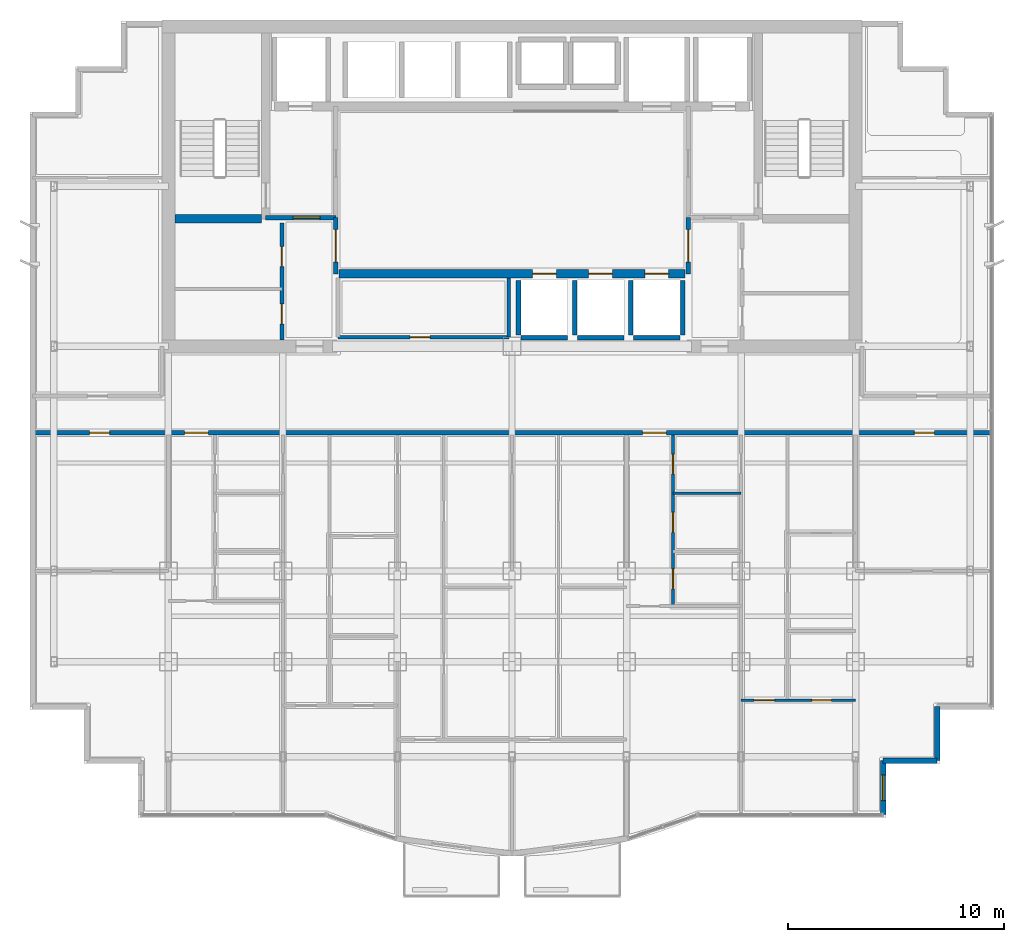
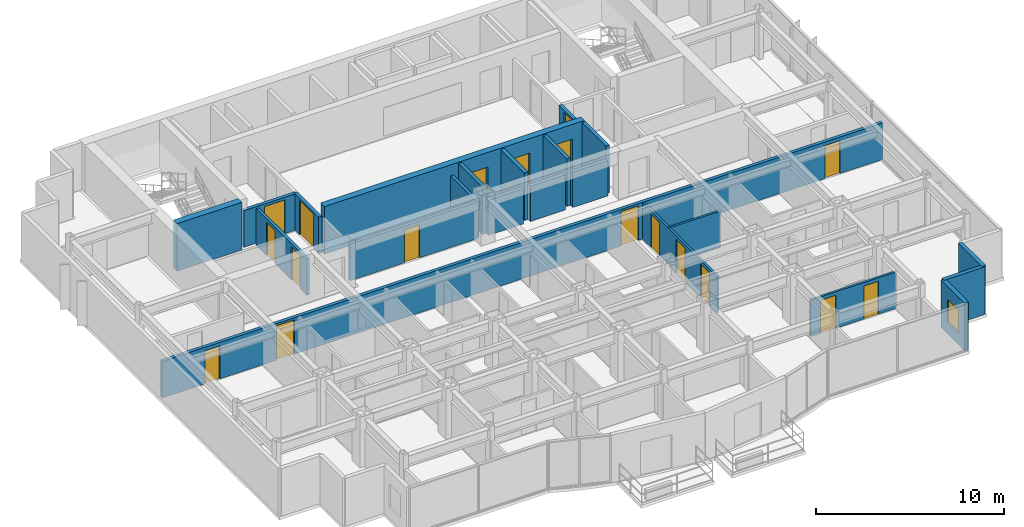
# One storey, part 9 of 13: 22 walls, 18 doors, 1 window, 19 openings.
"""IFC4 building model written with IfcOpenShell, lengths in metres."""

from ifc_helpers import new_model, si_unit, direction, frame, frame_2d, origin, place, context, subcontext, project, spatial, rectangle, extrude, material, layer, layer_set, type_object, element, fill, save


model = new_model("IFC4")

# Units and contexts
model_context = context("Model", 3, precision=1e-05, world=origin(), true_north=direction((0.0, 1.0)))
body_context = subcontext(model_context, "Body", "Model", "MODEL_VIEW")
ifc_project = project(units=[si_unit("LENGTHUNIT", "METRE"), si_unit("AREAUNIT", "SQUARE_METRE"), si_unit("VOLUMEUNIT", "CUBIC_METRE"), si_unit("PLANEANGLEUNIT", "RADIAN"), si_unit("MASSUNIT", "GRAM", prefix="KILO")], contexts=[model_context])

# Site, building, storey
site_placement = place(None, origin())
site = spatial("IfcSite", under=ifc_project, at=site_placement, CompositionType="ELEMENT")
building_placement = place(site_placement, origin())
building = spatial("IfcBuilding", under=site, at=building_placement, Name="Qianlan Lanfeng Residences", CompositionType="ELEMENT")
storey_placement = place(building_placement, frame((0.0, 0.0, 178.800048828125)))
storey = spatial("IfcBuildingStorey", under=building, at=storey_placement, Name="L49", CompositionType="ELEMENT", Elevation=178.800048828125)

# Wall
ifc_material_1 = material(Name="Concrete C56", Category="concrete")
ifc_layer_1 = layer(ifc_material_1, 0.39990234375)
ifc_layer_set_1 = layer_set([ifc_layer_1], Name="Concrete C56")
wall_type_1 = type_object("IfcWallType", Name="CW-RC-400", PredefinedType="SHEAR", material=ifc_layer_set_1)
wall_1_placement = place(storey_placement, frame((10.89990234375, 31.10009765625, 0.0), z_axis=(0.0, 0.0, 1.0), x_axis=(1.0, 0.0, 0.0)))
element("IfcWall", 1, at=wall_1_placement, inside=storey, type_object=wall_type_1, Name="L49 Core Shear Wall ST1S", PredefinedType="SHEAR", context=body_context, shape_type="SweptSolid", body=[
    extrude(rectangle(XDim=4.0, YDim=0.39990234375, at=frame_2d((2.0, 0.0))), origin(), (0.0, 0.0, 1.0), 3.099853515625),
])

# Wall, openings, doors
wall_2_placement = place(storey_placement, frame((18.5, 28.550048828125, 0.0), z_axis=(0.0, 0.0, 1.0), x_axis=(1.0, 0.0, 0.0)))
wall_2 = element("IfcWall", 2, at=wall_2_placement, inside=storey, type_object=wall_type_1, Name="L49 Core Shear Wall LBS", PredefinedType="SHEAR", context=body_context, shape_type="SweptSolid", body=[
    extrude(rectangle(XDim=16.0, YDim=0.39990234375, at=frame_2d((8.0, 0.0))), origin(), (0.0, 0.0, 1.0), 3.099853515625),
])
opening_1_placement = place(wall_2_placement, frame((8.949951171875, 0.0, 0.0)))
opening_1 = element("IfcOpeningElement", 3, at=opening_1_placement, cuts=wall_2, Name="Opening L49-LD-PL-M1", PredefinedType="OPENING", context=body_context, shape_type="SweptSolid", body=[
    extrude(rectangle(XDim=1.10009765625, YDim=2.14990234375, at=frame_2d((0.550048828125, 1.074951171875))), frame((0.0, 0.2099609375, 0.0), z_axis=(0.0, -1.0, 0.0), x_axis=(1.0, 0.0, 0.0)), (0.0, 0.0, 1.0), 0.419921875),
])
opening_2_placement = place(wall_2_placement, frame((11.550048828125, 0.0, 0.0)))
opening_2 = element("IfcOpeningElement", 4, at=opening_2_placement, cuts=wall_2, Name="Opening L49-LD-PL-M2", PredefinedType="OPENING", context=body_context, shape_type="SweptSolid", body=[
    extrude(rectangle(XDim=1.10009765625, YDim=2.14990234375, at=frame_2d((0.550048828125, 1.074951171875))), frame((0.0, 0.2099609375, 0.0), z_axis=(0.0, -1.0, 0.0), x_axis=(1.0, 0.0, 0.0)), (0.0, 0.0, 1.0), 0.419921875),
])
opening_3_placement = place(wall_2_placement, frame((14.14990234375, 0.0, 0.0)))
opening_3 = element("IfcOpeningElement", 5, at=opening_3_placement, cuts=wall_2, Name="Opening L49-LD-PL-M3", PredefinedType="OPENING", context=body_context, shape_type="SweptSolid", body=[
    extrude(rectangle(XDim=1.10009765625, YDim=2.14990234375, at=frame_2d((0.550048828125, 1.074951171875))), frame((0.0, 0.2099609375, 0.0), z_axis=(0.0, -1.0, 0.0), x_axis=(1.0, 0.0, 0.0)), (0.0, 0.0, 1.0), 0.419921875),
])
ifc_material_2 = material(Name="Brushed Stainless Steel Sliding Lift Door", Category="steel")
door_type_1 = type_object("IfcDoorType", Name="LD-01", OperationType="NOTDEFINED", PredefinedType="DOOR", material=ifc_material_2)
door_1_placement = place(opening_1_placement, origin())
door_1 = element("IfcDoor", 6, at=door_1_placement, inside=storey, type_object=door_type_1, Name="L49 Elevator PL-M1 Sliding Landing Door", OperationType="DOUBLE_DOOR_SLIDING", OverallHeight=2.14990234375, OverallWidth=1.10009765625, PredefinedType="DOOR", context=body_context, shape_type="SweptSolid", body=[
    extrude(rectangle(XDim=1.10009765625, YDim=2.14990234375, at=frame_2d((0.550048828125, 1.074951171875))), frame((0.0, 0.02490234375, 0.0), z_axis=(0.0, -1.0, 0.0), x_axis=(1.0, 0.0, 0.0)), (0.0, 0.0, 1.0), 0.050048828125),
])
fill(opening_1, door_1)
door_2_placement = place(opening_2_placement, origin())
door_2 = element("IfcDoor", 7, at=door_2_placement, inside=storey, type_object=door_type_1, Name="L49 Elevator PL-M2 Sliding Landing Door", OperationType="DOUBLE_DOOR_SLIDING", OverallHeight=2.14990234375, OverallWidth=1.10009765625, PredefinedType="DOOR", context=body_context, shape_type="SweptSolid", body=[
    extrude(rectangle(XDim=1.10009765625, YDim=2.14990234375, at=frame_2d((0.550048828125, 1.074951171875))), frame((0.0, 0.02490234375, 0.0), z_axis=(0.0, -1.0, 0.0), x_axis=(1.0, 0.0, 0.0)), (0.0, 0.0, 1.0), 0.050048828125),
])
fill(opening_2, door_2)
door_3_placement = place(opening_3_placement, origin())
door_3 = element("IfcDoor", 8, at=door_3_placement, inside=storey, type_object=door_type_1, Name="L49 Elevator PL-M3 Sliding Landing Door", OperationType="DOUBLE_DOOR_SLIDING", OverallHeight=2.14990234375, OverallWidth=1.10009765625, PredefinedType="DOOR", context=body_context, shape_type="SweptSolid", body=[
    extrude(rectangle(XDim=1.10009765625, YDim=2.14990234375, at=frame_2d((0.550048828125, 1.074951171875))), frame((0.0, 0.02490234375, 0.0), z_axis=(0.0, -1.0, 0.0), x_axis=(1.0, 0.0, 0.0)), (0.0, 0.0, 1.0), 0.050048828125),
])
fill(opening_3, door_3)

# Wall, opening, window
ifc_material_3 = material(Name="Concrete C42", Category="concrete")
ifc_layer_2 = layer(ifc_material_3, 0.239990234375)
ifc_layer_set_2 = layer_set([ifc_layer_2], Name="Concrete C42")
wall_type_2 = type_object("IfcWallType", Name="EW-240", PredefinedType="SOLIDWALL", material=ifc_layer_set_2)
wall_3_placement = place(storey_placement, frame((43.679931640625, 3.52001953125, 0.0), z_axis=(0.0, 0.0, 1.0), x_axis=(0.0, 1.0, 0.0)))
wall_3 = element("IfcWall", 9, at=wall_3_placement, inside=storey, type_object=wall_type_2, Name="L49 Exterior Facade Spandrel Wall 7", PredefinedType="SOLIDWALL", context=body_context, shape_type="SweptSolid", body=[
    extrude(rectangle(XDim=2.5, YDim=0.239990234375, at=frame_2d((1.25, 0.0))), origin(), (0.0, 0.0, 1.0), 3.099853515625),
])
opening_4_placement = place(wall_3_placement, frame((0.64990234375, 0.0, 0.75)))
opening_4 = element("IfcOpeningElement", 10, at=opening_4_placement, cuts=wall_3, Name="Opening W-03", PredefinedType="OPENING", context=body_context, shape_type="SweptSolid", body=[
    extrude(rectangle(XDim=1.199951171875, YDim=1.5, at=frame_2d((0.60009765625, 0.75))), frame((0.0, 0.1298828125, 0.0), z_axis=(0.0, -1.0, 0.0), x_axis=(1.0, 0.0, 0.0)), (0.0, 0.0, 1.0), 0.260009765625),
])
ifc_material_4 = material(Name="Anodised Bronze Aluminium Framed Double Glazing", Category="aluminium")
window_type = type_object("IfcWindowType", Name="W-03", PartitioningType="SINGLE_PANEL", PredefinedType="WINDOW", material=ifc_material_4)
window_placement = place(opening_4_placement, origin())
window = element("IfcWindow", 11, at=window_placement, inside=storey, type_object=window_type, Name="L49 Facade Punched Window W-03", OverallHeight=1.5, OverallWidth=1.199951171875, PartitioningType="SINGLE_PANEL", PredefinedType="WINDOW", context=body_context, shape_type="SweptSolid", body=[
    extrude(rectangle(XDim=1.199951171875, YDim=1.5, at=frame_2d((0.60009765625, 0.75))), frame((0.0, 0.030029296875, 0.0), z_axis=(0.0, -1.0, 0.0), x_axis=(1.0, 0.0, 0.0)), (0.0, 0.0, 1.0), 0.06005859375),
])
fill(opening_4, window)

# Walls
for number, where, z_axis, x_axis, name in (
    (12, (43.679931640625, 6.02001953125, 0.0), (0.0, 0.0, 1.0), (1.0, 0.0, 0.0), "L49 Exterior Facade Spandrel Wall 8"),
    (13, (46.179931640625, 6.02001953125, 0.0), (0.0, 0.0, 1.0), (0.0, 1.0, 0.0), "L49 Exterior Facade Spandrel Wall 9"),
):
    element("IfcWall", number, at=place(storey_placement, frame(where, z_axis=z_axis, x_axis=x_axis)), inside=storey, type_object=wall_type_2, Name=name, PredefinedType="SOLIDWALL", context=body_context, shape_type="SweptSolid", body=[
        extrude(rectangle(XDim=2.5, YDim=0.239990234375, at=frame_2d((1.25, 0.0))), origin(), (0.0, 0.0, 1.0), 3.099853515625),
    ])

# Wall, openings, doors
ifc_material_5 = material(Name="Moisture-Resistant Gypsum Partition 135 mm")
ifc_layer_3 = layer(ifc_material_5, 0.135009765625)
ifc_layer_set_3 = layer_set([ifc_layer_3], Name="Moisture-Resistant Gypsum Partition 135 mm")
wall_type_3 = type_object("IfcWallType", Name="PW-135", PredefinedType="PARTITIONING", material=ifc_layer_set_3)
wall_4_placement = place(storey_placement, frame((33.949951171875, 13.174072265625, 0.0), z_axis=(0.0, 0.0, 1.0), x_axis=(0.0, 1.0, 0.0)))
wall_4 = element("IfcWall", 14, at=wall_4_placement, inside=storey, type_object=wall_type_3, Name="L49 U02 Entry Hall Spine", PredefinedType="PARTITIONING", context=body_context, shape_type="SweptSolid", body=[
    extrude(rectangle(XDim=7.926025390625, YDim=0.135009765625, at=frame_2d((3.962890625, 0.0))), origin(), (0.0, 0.0, 1.0), 2.3798828125),
])
opening_5_placement = place(wall_4_placement, frame((0.802978515625, 0.0, 0.0)))
opening_5 = element("IfcOpeningElement", 15, at=opening_5_placement, cuts=wall_4, Name="Opening L49-D37", PredefinedType="OPENING", context=body_context, shape_type="SweptSolid", body=[
    extrude(rectangle(XDim=0.919921875, YDim=2.14990234375, at=frame_2d((0.4599609375, 1.074951171875))), frame((0.0, 0.07763671875, 0.0), z_axis=(0.0, -1.0, 0.0), x_axis=(1.0, 0.0, 0.0)), (0.0, 0.0, 1.0), 0.155029296875),
])
opening_6_placement = place(wall_4_placement, frame((3.416015625, 0.0, 0.0)))
opening_6 = element("IfcOpeningElement", 16, at=opening_6_placement, cuts=wall_4, Name="Opening L49-D38", PredefinedType="OPENING", context=body_context, shape_type="SweptSolid", body=[
    extrude(rectangle(XDim=0.919921875, YDim=2.14990234375, at=frame_2d((0.4599609375, 1.074951171875))), frame((0.0, 0.07763671875, 0.0), z_axis=(0.0, -1.0, 0.0), x_axis=(1.0, 0.0, 0.0)), (0.0, 0.0, 1.0), 0.155029296875),
])
opening_7_placement = place(wall_4_placement, frame((6.1259765625, 0.0, 0.0)))
opening_7 = element("IfcOpeningElement", 17, at=opening_7_placement, cuts=wall_4, Name="Opening L49-D39", PredefinedType="OPENING", context=body_context, shape_type="SweptSolid", body=[
    extrude(rectangle(XDim=0.89990234375, YDim=2.14990234375, at=frame_2d((0.449951171875, 1.074951171875))), frame((0.0, 0.07763671875, 0.0), z_axis=(0.0, -1.0, 0.0), x_axis=(1.0, 0.0, 0.0)), (0.0, 0.0, 1.0), 0.155029296875),
])
ifc_material_6 = material(Name="Glazed Timber Kitchen/Study Door", Category="wood")
door_type_2 = type_object("IfcDoorType", Name="DT-INT", OperationType="NOTDEFINED", PredefinedType="DOOR", material=ifc_material_6)
door_4_placement = place(opening_5_placement, origin())
door_4 = element("IfcDoor", 18, at=door_4_placement, inside=storey, type_object=door_type_2, Name="L49 U02 Study Door L49-D37 (DT-INT)", OperationType="SINGLE_SWING_RIGHT", OverallHeight=2.14990234375, OverallWidth=0.919921875, PredefinedType="DOOR", context=body_context, shape_type="SweptSolid", body=[
    extrude(rectangle(XDim=0.919921875, YDim=2.14990234375, at=frame_2d((0.4599609375, 1.074951171875))), frame((0.0, 0.02490234375, 0.0), z_axis=(0.0, -1.0, 0.0), x_axis=(1.0, 0.0, 0.0)), (0.0, 0.0, 1.0), 0.050048828125),
])
fill(opening_5, door_4)
door_5_placement = place(opening_6_placement, origin())
door_5 = element("IfcDoor", 19, at=door_5_placement, inside=storey, type_object=door_type_2, Name="L49 U02 Kitchen Door L49-D38 (DT-INT)", OperationType="SINGLE_SWING_RIGHT", OverallHeight=2.14990234375, OverallWidth=0.919921875, PredefinedType="DOOR", context=body_context, shape_type="SweptSolid", body=[
    extrude(rectangle(XDim=0.919921875, YDim=2.14990234375, at=frame_2d((0.4599609375, 1.074951171875))), frame((0.0, 0.02490234375, 0.0), z_axis=(0.0, -1.0, 0.0), x_axis=(1.0, 0.0, 0.0)), (0.0, 0.0, 1.0), 0.050048828125),
])
fill(opening_6, door_5)
ifc_material_7 = material(Name="Moisture-Resistant Timber Leaf", Category="wood")
door_type_3 = type_object("IfcDoorType", Name="DT-WC", OperationType="NOTDEFINED", PredefinedType="DOOR", material=ifc_material_7)
door_6_placement = place(opening_7_placement, origin())
door_6 = element("IfcDoor", 20, at=door_6_placement, inside=storey, type_object=door_type_3, Name="L49 U02 Bathroom Door L49-D39 (DT-WC)", OperationType="SINGLE_SWING_LEFT", OverallHeight=2.14990234375, OverallWidth=0.89990234375, PredefinedType="DOOR", context=body_context, shape_type="SweptSolid", body=[
    extrude(rectangle(XDim=0.89990234375, YDim=2.14990234375, at=frame_2d((0.449951171875, 1.074951171875))), frame((0.0, 0.02490234375, 0.0), z_axis=(0.0, -1.0, 0.0), x_axis=(1.0, 0.0, 0.0)), (0.0, 0.0, 1.0), 0.050048828125),
])
fill(opening_7, door_6)

# Wall
wall_5_placement = place(storey_placement, frame((33.949951171875, 18.39990234375, 0.0), z_axis=(0.0, 0.0, 1.0), x_axis=(1.0, 0.0, 0.0)))
element("IfcWall", 21, at=wall_5_placement, inside=storey, type_object=wall_type_3, Name="L49 U02 Bathroom South Wall", PredefinedType="PARTITIONING", context=body_context, shape_type="SweptSolid", body=[
    extrude(rectangle(XDim=3.150146484375, YDim=0.135009765625, at=frame_2d((1.5751953125, 0.0))), origin(), (0.0, 0.0, 1.0), 2.3798828125),
])

# Wall, openings, doors
wall_6_placement = place(storey_placement, frame((37.10009765625, 8.820068359375, 0.0), z_axis=(0.0, 0.0, 1.0), x_axis=(1.0, 0.0, 0.0)))
wall_6 = element("IfcWall", 22, at=wall_6_placement, inside=storey, type_object=wall_type_3, Name="L49 U02 Master Bedroom North Wall", PredefinedType="PARTITIONING", context=body_context, shape_type="SweptSolid", body=[
    extrude(rectangle(XDim=5.2998046875, YDim=0.135009765625, at=frame_2d((2.64990234375, 0.0))), origin(), (0.0, 0.0, 1.0), 2.3798828125),
])
opening_8_placement = place(wall_6_placement, frame((0.60009765625, 0.0, 0.0)))
opening_8 = element("IfcOpeningElement", 23, at=opening_8_placement, cuts=wall_6, Name="Opening L49-D40", PredefinedType="OPENING", context=body_context, shape_type="SweptSolid", body=[
    extrude(rectangle(XDim=0.949951171875, YDim=2.14990234375, at=frame_2d((0.47509765625, 1.074951171875))), frame((0.0, 0.07763671875, 0.0), z_axis=(0.0, -1.0, 0.0), x_axis=(1.0, 0.0, 0.0)), (0.0, 0.0, 1.0), 0.155029296875),
])
opening_9_placement = place(wall_6_placement, frame((3.27490234375, 0.0, 0.0)))
opening_9 = element("IfcOpeningElement", 24, at=opening_9_placement, cuts=wall_6, Name="Opening L49-D41", PredefinedType="OPENING", context=body_context, shape_type="SweptSolid", body=[
    extrude(rectangle(XDim=0.89990234375, YDim=2.14990234375, at=frame_2d((0.449951171875, 1.074951171875))), frame((0.0, 0.07763671875, 0.0), z_axis=(0.0, -1.0, 0.0), x_axis=(1.0, 0.0, 0.0)), (0.0, 0.0, 1.0), 0.155029296875),
])
ifc_material_8 = material(Name="Painted Solid-Core Timber Leaf", Category="wood")
door_type_4 = type_object("IfcDoorType", Name="DT-BED", OperationType="NOTDEFINED", PredefinedType="DOOR", material=ifc_material_8)
door_7_placement = place(opening_8_placement, frame((0.949951171875, 0.0, 0.0), z_axis=(0.0, 0.0, 1.0), x_axis=(-1.0, 0.0, 0.0)))
door_7 = element("IfcDoor", 25, at=door_7_placement, inside=storey, type_object=door_type_4, Name="L49 U02 Master Bedroom Door L49-D40 (DT-BED)", OperationType="SINGLE_SWING_RIGHT", OverallHeight=2.14990234375, OverallWidth=0.949951171875, PredefinedType="DOOR", context=body_context, shape_type="SweptSolid", body=[
    extrude(rectangle(XDim=0.949951171875, YDim=2.14990234375, at=frame_2d((0.47509765625, 1.074951171875))), frame((0.0, 0.02490234375, 0.0), z_axis=(0.0, -1.0, 0.0), x_axis=(1.0, 0.0, 0.0)), (0.0, 0.0, 1.0), 0.050048828125),
])
fill(opening_8, door_7)
door_8_placement = place(opening_9_placement, origin())
door_8 = element("IfcDoor", 26, at=door_8_placement, inside=storey, type_object=door_type_3, Name="L49 U02 En-Suite Bathroom Door L49-D41 (DT-WC)", OperationType="SINGLE_SWING_LEFT", OverallHeight=2.14990234375, OverallWidth=0.89990234375, PredefinedType="DOOR", context=body_context, shape_type="SweptSolid", body=[
    extrude(rectangle(XDim=0.89990234375, YDim=2.14990234375, at=frame_2d((0.449951171875, 1.074951171875))), frame((0.0, 0.02490234375, 0.0), z_axis=(0.0, -1.0, 0.0), x_axis=(1.0, 0.0, 0.0)), (0.0, 0.0, 1.0), 0.050048828125),
])
fill(opening_9, door_8)

ifc_material_9 = material(Name="Double-Layer Acoustic Gypsum Stud Wall 180 mm")
ifc_layer_4 = layer(ifc_material_9, 0.179931640625)
ifc_layer_set_4 = layer_set([ifc_layer_4], Name="Double-Layer Acoustic Gypsum Stud Wall 180 mm")
wall_type_4 = type_object("IfcWallType", Name="PW-180", PredefinedType="PARTITIONING", material=ifc_layer_set_4)
wall_7_placement = place(storey_placement, frame((15.85009765625, 25.5, 0.0), z_axis=(0.0, 0.0, 1.0), x_axis=(0.0, 1.0, 0.0)))
wall_7 = element("IfcWall", 27, at=wall_7_placement, inside=storey, type_object=wall_type_4, Name="L49 Core West Service Room Wall", PredefinedType="PARTITIONING", context=body_context, shape_type="SweptSolid", body=[
    extrude(rectangle(XDim=5.39990234375, YDim=0.179931640625, at=frame_2d((2.699951171875, 0.0))), origin(), (0.0, 0.0, 1.0), 2.3798828125),
])
opening_10_placement = place(wall_7_placement, frame((0.739990234375, 0.0, 0.0)))
opening_10 = element("IfcOpeningElement", 28, at=opening_10_placement, cuts=wall_7, Name="Opening L49-D09", PredefinedType="OPENING", context=body_context, shape_type="SweptSolid", body=[
    extrude(rectangle(XDim=0.919921875, YDim=2.14990234375, at=frame_2d((0.4599609375, 1.074951171875))), frame((0.0, 0.10009765625, 0.0), z_axis=(0.0, -1.0, 0.0), x_axis=(1.0, 0.0, 0.0)), (0.0, 0.0, 1.0), 0.199951171875),
])
opening_11_placement = place(wall_7_placement, frame((3.389892578125, 0.0, 0.0)))
opening_11 = element("IfcOpeningElement", 29, at=opening_11_placement, cuts=wall_7, Name="Opening L49-D10", PredefinedType="OPENING", context=body_context, shape_type="SweptSolid", body=[
    extrude(rectangle(XDim=0.919921875, YDim=2.14990234375, at=frame_2d((0.4599609375, 1.074951171875))), frame((0.0, 0.10009765625, 0.0), z_axis=(0.0, -1.0, 0.0), x_axis=(1.0, 0.0, 0.0)), (0.0, 0.0, 1.0), 0.199951171875),
])
door_9_placement = place(opening_10_placement, origin())
door_9 = element("IfcDoor", 30, at=door_9_placement, inside=storey, type_object=door_type_2, Name="L49 Parcel Room Door L49-D09 (DT-INT)", OperationType="SINGLE_SWING_LEFT", OverallHeight=2.14990234375, OverallWidth=0.919921875, PredefinedType="DOOR", context=body_context, shape_type="SweptSolid", body=[
    extrude(rectangle(XDim=0.919921875, YDim=2.14990234375, at=frame_2d((0.4599609375, 1.074951171875))), frame((0.0, 0.02490234375, 0.0), z_axis=(0.0, -1.0, 0.0), x_axis=(1.0, 0.0, 0.0)), (0.0, 0.0, 1.0), 0.050048828125),
])
fill(opening_10, door_9)
door_10_placement = place(opening_11_placement, origin())
door_10 = element("IfcDoor", 31, at=door_10_placement, inside=storey, type_object=door_type_2, Name="L49 Janitor Closet Door L49-D10 (DT-INT)", OperationType="SINGLE_SWING_RIGHT", OverallHeight=2.14990234375, OverallWidth=0.919921875, PredefinedType="DOOR", context=body_context, shape_type="SweptSolid", body=[
    extrude(rectangle(XDim=0.919921875, YDim=2.14990234375, at=frame_2d((0.4599609375, 1.074951171875))), frame((0.0, 0.02490234375, 0.0), z_axis=(0.0, -1.0, 0.0), x_axis=(1.0, 0.0, 0.0)), (0.0, 0.0, 1.0), 0.050048828125),
])
fill(opening_11, door_10)

# Wall
wall_8_placement = place(storey_placement, frame((26.35009765625, 25.6201171875, 0.0), z_axis=(0.0, 0.0, 1.0), x_axis=(0.0, 1.0, 0.0)))
element("IfcWall", 32, at=wall_8_placement, inside=storey, type_object=wall_type_4, Name="L49 Reclaimed Low-Bank Room East Wall", PredefinedType="PARTITIONING", context=body_context, shape_type="SweptSolid", body=[
    extrude(rectangle(XDim=2.72998046875, YDim=0.179931640625, at=frame_2d((1.364990234375, 0.0))), origin(), (0.0, 0.0, 1.0), 2.3798828125),
])

# Wall, opening, door
wall_9_placement = place(storey_placement, frame((18.449951171875, 25.6201171875, 0.0), z_axis=(0.0, 0.0, 1.0), x_axis=(1.0, 0.0, 0.0)))
wall_9 = element("IfcWall", 33, at=wall_9_placement, inside=storey, type_object=wall_type_4, Name="L49 Reclaimed Low-Bank Room South Wall", PredefinedType="PARTITIONING", context=body_context, shape_type="SweptSolid", body=[
    extrude(rectangle(XDim=7.900146484375, YDim=0.179931640625, at=frame_2d((3.9501953125, 0.0))), origin(), (0.0, 0.0, 1.0), 2.3798828125),
])
opening_12_placement = place(wall_9_placement, frame((3.340087890625, 0.0, 0.0)))
opening_12 = element("IfcOpeningElement", 34, at=opening_12_placement, cuts=wall_9, Name="Opening L49-D15", PredefinedType="OPENING", context=body_context, shape_type="SweptSolid", body=[
    extrude(rectangle(XDim=0.919921875, YDim=2.14990234375, at=frame_2d((0.4599609375, 1.074951171875))), frame((0.0, 0.10009765625, 0.0), z_axis=(0.0, -1.0, 0.0), x_axis=(1.0, 0.0, 0.0)), (0.0, 0.0, 1.0), 0.199951171875),
])
door_11_placement = place(opening_12_placement, origin())
door_11 = element("IfcDoor", 35, at=door_11_placement, inside=storey, type_object=door_type_2, Name="L49 Reclaimed Core Salon Door L49-D15 (DT-INT)", OperationType="SINGLE_SWING_LEFT", OverallHeight=2.14990234375, OverallWidth=0.919921875, PredefinedType="DOOR", context=body_context, shape_type="SweptSolid", body=[
    extrude(rectangle(XDim=0.919921875, YDim=2.14990234375, at=frame_2d((0.4599609375, 1.074951171875))), frame((0.0, 0.02490234375, 0.0), z_axis=(0.0, -1.0, 0.0), x_axis=(1.0, 0.0, 0.0)), (0.0, 0.0, 1.0), 0.050048828125),
])
fill(opening_12, door_11)

ifc_material_10 = material(Name="Autoclaved Aerated Concrete Blockwork 200 mm", Category="masonry")
ifc_layer_5 = layer(ifc_material_10, 0.199951171875)
ifc_layer_set_5 = layer_set([ifc_layer_5], Name="Autoclaved Aerated Concrete Blockwork 200 mm")
wall_type_5 = type_object("IfcWallType", Name="PW-200", PredefinedType="PARTITIONING", material=ifc_layer_set_5)
wall_10_placement = place(storey_placement, frame((15.10009765625, 31.14990234375, 0.0), z_axis=(0.0, 0.0, 1.0), x_axis=(1.0, 0.0, 0.0)))
wall_10 = element("IfcWall", 36, at=wall_10_placement, inside=storey, type_object=wall_type_5, Name="L49 Firefighting Lobby 1 South Wall", PredefinedType="PARTITIONING", context=body_context, shape_type="SweptSolid", body=[
    extrude(rectangle(XDim=3.25, YDim=0.199951171875, at=frame_2d((1.625, 0.0))), origin(), (0.0, 0.0, 1.0), 2.3798828125),
])
opening_13_placement = place(wall_10_placement, frame((1.27490234375, 0.0, 0.0)))
opening_13 = element("IfcOpeningElement", 37, at=opening_13_placement, cuts=wall_10, Name="Opening L49-D03", PredefinedType="OPENING", context=body_context, shape_type="SweptSolid", body=[
    extrude(rectangle(XDim=1.25, YDim=2.199951171875, at=frame_2d((0.625, 1.10009765625))), frame((0.0, 0.10986328125, 0.0), z_axis=(0.0, -1.0, 0.0), x_axis=(1.0, 0.0, 0.0)), (0.0, 0.0, 1.0), 0.219970703125),
])
ifc_material_11 = material(Name="Painted Galvanised Steel Fire Door", Category="steel")
door_type_5 = type_object("IfcDoorType", Name="DT-FFL", OperationType="NOTDEFINED", PredefinedType="DOOR", material=ifc_material_11)
door_12_placement = place(opening_13_placement, origin())
door_12 = element("IfcDoor", 38, at=door_12_placement, inside=storey, type_object=door_type_5, Name="L49 Firefighting Lobby 1 Entry Door L49-D03 (DT-FFL)", OperationType="SINGLE_SWING_LEFT", OverallHeight=2.199951171875, OverallWidth=1.25, PredefinedType="DOOR", context=body_context, shape_type="SweptSolid", body=[
    extrude(rectangle(XDim=1.25, YDim=2.199951171875, at=frame_2d((0.625, 1.10009765625))), frame((0.0, 0.02490234375, 0.0), z_axis=(0.0, -1.0, 0.0), x_axis=(1.0, 0.0, 0.0)), (0.0, 0.0, 1.0), 0.050048828125),
])
fill(opening_13, door_12)

wall_11_placement = place(storey_placement, frame((18.35009765625, 28.550048828125, 0.0), z_axis=(0.0, 0.0, 1.0), x_axis=(0.0, 1.0, 0.0)))
wall_11 = element("IfcWall", 39, at=wall_11_placement, inside=storey, type_object=wall_type_5, Name="L49 Lift Lobby West Connector Wall", PredefinedType="PARTITIONING", context=body_context, shape_type="SweptSolid", body=[
    extrude(rectangle(XDim=2.599853515625, YDim=0.199951171875, at=frame_2d((1.2998046875, 0.0))), origin(), (0.0, 0.0, 1.0), 2.3798828125),
])
opening_14_placement = place(wall_11_placement, frame((0.550048828125, 0.0, 0.0)))
opening_14 = element("IfcOpeningElement", 40, at=opening_14_placement, cuts=wall_11, Name="Opening L49-D13", PredefinedType="OPENING", context=body_context, shape_type="SweptSolid", body=[
    extrude(rectangle(XDim=1.5, YDim=2.25, at=frame_2d((0.75, 1.125))), frame((0.0, 0.10986328125, 0.0), z_axis=(0.0, -1.0, 0.0), x_axis=(1.0, 0.0, 0.0)), (0.0, 0.0, 1.0), 0.219970703125),
])
ifc_material_12 = material(Name="Timber Veneer Acoustic Fire Door", Category="wood")
door_type_6 = type_object("IfcDoorType", Name="DT-COR1", OperationType="NOTDEFINED", PredefinedType="DOOR", material=ifc_material_12)
door_13_placement = place(opening_14_placement, origin())
door_13 = element("IfcDoor", 41, at=door_13_placement, inside=storey, type_object=door_type_6, Name="L49 Lift Lobby West Portal Door L49-D13 (DT-COR1)", OperationType="DOUBLE_DOOR_SINGLE_SWING", OverallHeight=2.25, OverallWidth=1.5, PredefinedType="DOOR", context=body_context, shape_type="SweptSolid", body=[
    extrude(rectangle(XDim=1.5, YDim=2.25, at=frame_2d((0.75, 1.125))), frame((0.0, 0.02490234375, 0.0), z_axis=(0.0, -1.0, 0.0), x_axis=(1.0, 0.0, 0.0)), (0.0, 0.0, 1.0), 0.050048828125),
])
fill(opening_14, door_13)

wall_12_placement = place(storey_placement, frame((34.64990234375, 28.550048828125, 0.0), z_axis=(0.0, 0.0, 1.0), x_axis=(0.0, 1.0, 0.0)))
wall_12 = element("IfcWall", 42, at=wall_12_placement, inside=storey, type_object=wall_type_5, Name="L49 Lift Lobby East Connector Wall", PredefinedType="PARTITIONING", context=body_context, shape_type="SweptSolid", body=[
    extrude(rectangle(XDim=2.599853515625, YDim=0.199951171875, at=frame_2d((1.2998046875, 0.0))), origin(), (0.0, 0.0, 1.0), 2.3798828125),
])
opening_15_placement = place(wall_12_placement, frame((0.550048828125, 0.0, 0.0)))
opening_15 = element("IfcOpeningElement", 43, at=opening_15_placement, cuts=wall_12, Name="Opening L49-D14", PredefinedType="OPENING", context=body_context, shape_type="SweptSolid", body=[
    extrude(rectangle(XDim=1.5, YDim=2.25, at=frame_2d((0.75, 1.125))), frame((0.0, 0.10986328125, 0.0), z_axis=(0.0, -1.0, 0.0), x_axis=(1.0, 0.0, 0.0)), (0.0, 0.0, 1.0), 0.219970703125),
])
door_14_placement = place(opening_15_placement, frame((1.5, 0.0, 0.0), z_axis=(0.0, 0.0, 1.0), x_axis=(-1.0, 0.0, 0.0)))
door_14 = element("IfcDoor", 44, at=door_14_placement, inside=storey, type_object=door_type_6, Name="L49 Lift Lobby East Portal Door L49-D14 (DT-COR1)", OperationType="DOUBLE_DOOR_SINGLE_SWING", OverallHeight=2.25, OverallWidth=1.5, PredefinedType="DOOR", context=body_context, shape_type="SweptSolid", body=[
    extrude(rectangle(XDim=1.5, YDim=2.25, at=frame_2d((0.75, 1.125))), frame((0.0, 0.02490234375, 0.0), z_axis=(0.0, -1.0, 0.0), x_axis=(1.0, 0.0, 0.0)), (0.0, 0.0, 1.0), 0.050048828125),
])
fill(opening_15, door_14)

# Wall, openings, doors
wall_13_placement = place(storey_placement, frame((4.320068359375, 21.199951171875, 0.0), z_axis=(0.0, 0.0, 1.0), x_axis=(1.0, 0.0, 0.0)))
wall_13 = element("IfcWall", 45, at=wall_13_placement, inside=storey, type_object=wall_type_5, Name="L49 Residential Corridor South Fire Wall", PredefinedType="PARTITIONING", context=body_context, shape_type="SweptSolid", body=[
    extrude(rectangle(XDim=44.35986328125, YDim=0.199951171875, at=frame_2d((22.179931640625, 0.0))), origin(), (0.0, 0.0, 1.0), 2.3798828125),
])
opening_16_placement = place(wall_13_placement, frame((7.030029296875, 0.0, 0.0)))
opening_16 = element("IfcOpeningElement", 46, at=opening_16_placement, cuts=wall_13, Name="Opening L49-D16", PredefinedType="OPENING", context=body_context, shape_type="SweptSolid", body=[
    extrude(rectangle(XDim=1.10009765625, YDim=2.25, at=frame_2d((0.550048828125, 1.125))), frame((0.0, 0.10986328125, 0.0), z_axis=(0.0, -1.0, 0.0), x_axis=(1.0, 0.0, 0.0)), (0.0, 0.0, 1.0), 0.219970703125),
])
opening_17_placement = place(wall_13_placement, frame((28.22998046875, 0.0, 0.0)))
opening_17 = element("IfcOpeningElement", 47, at=opening_17_placement, cuts=wall_13, Name="Opening L49-D34", PredefinedType="OPENING", context=body_context, shape_type="SweptSolid", body=[
    extrude(rectangle(XDim=1.10009765625, YDim=2.25, at=frame_2d((0.550048828125, 1.125))), frame((0.0, 0.10986328125, 0.0), z_axis=(0.0, -1.0, 0.0), x_axis=(1.0, 0.0, 0.0)), (0.0, 0.0, 1.0), 0.219970703125),
])
opening_18_placement = place(wall_13_placement, frame((2.635009765625, 0.0, 0.0)))
opening_18 = element("IfcOpeningElement", 48, at=opening_18_placement, cuts=wall_13, Name="Opening L49-D45", PredefinedType="OPENING", context=body_context, shape_type="SweptSolid", body=[
    extrude(rectangle(XDim=0.919921875, YDim=2.14990234375, at=frame_2d((0.4599609375, 1.074951171875))), frame((0.0, 0.10986328125, 0.0), z_axis=(0.0, -1.0, 0.0), x_axis=(1.0, 0.0, 0.0)), (0.0, 0.0, 1.0), 0.219970703125),
])
opening_19_placement = place(wall_13_placement, frame((40.804931640625, 0.0, 0.0)))
opening_19 = element("IfcOpeningElement", 49, at=opening_19_placement, cuts=wall_13, Name="Opening L49-D47", PredefinedType="OPENING", context=body_context, shape_type="SweptSolid", body=[
    extrude(rectangle(XDim=0.919921875, YDim=2.14990234375, at=frame_2d((0.4599609375, 1.074951171875))), frame((0.0, 0.10986328125, 0.0), z_axis=(0.0, -1.0, 0.0), x_axis=(1.0, 0.0, 0.0)), (0.0, 0.0, 1.0), 0.219970703125),
])
door_15_placement = place(opening_18_placement, origin())
door_15 = element("IfcDoor", 50, at=door_15_placement, inside=storey, type_object=door_type_2, Name="L49 SWP Corridor Door L49-D45 (DT-INT)", OperationType="SINGLE_SWING_LEFT", OverallHeight=2.14990234375, OverallWidth=0.919921875, PredefinedType="DOOR", context=body_context, shape_type="SweptSolid", body=[
    extrude(rectangle(XDim=0.919921875, YDim=2.14990234375, at=frame_2d((0.4599609375, 1.074951171875))), frame((0.0, 0.02490234375, 0.0), z_axis=(0.0, -1.0, 0.0), x_axis=(1.0, 0.0, 0.0)), (0.0, 0.0, 1.0), 0.050048828125),
])
fill(opening_18, door_15)
door_16_placement = place(opening_19_placement, origin())
door_16 = element("IfcDoor", 51, at=door_16_placement, inside=storey, type_object=door_type_2, Name="L49 SEP Corridor Door L49-D47 (DT-INT)", OperationType="SINGLE_SWING_LEFT", OverallHeight=2.14990234375, OverallWidth=0.919921875, PredefinedType="DOOR", context=body_context, shape_type="SweptSolid", body=[
    extrude(rectangle(XDim=0.919921875, YDim=2.14990234375, at=frame_2d((0.4599609375, 1.074951171875))), frame((0.0, 0.02490234375, 0.0), z_axis=(0.0, -1.0, 0.0), x_axis=(1.0, 0.0, 0.0)), (0.0, 0.0, 1.0), 0.050048828125),
])
fill(opening_19, door_16)
ifc_material_13 = material(Name="Solid-Core Oak Veneer Fire Door")
door_type_7 = type_object("IfcDoorType", Name="DT-UNIT", OperationType="NOTDEFINED", PredefinedType="DOOR", material=ifc_material_13)
door_17_placement = place(opening_16_placement, origin())
door_17 = element("IfcDoor", 52, at=door_17_placement, inside=storey, type_object=door_type_7, Name="L49 Apartment U01 Entrance Door L49-D16 (DT-UNIT)", OperationType="SINGLE_SWING_RIGHT", OverallHeight=2.25, OverallWidth=1.10009765625, PredefinedType="DOOR", context=body_context, shape_type="SweptSolid", body=[
    extrude(rectangle(XDim=1.10009765625, YDim=2.25, at=frame_2d((0.550048828125, 1.125))), frame((0.0, 0.02490234375, 0.0), z_axis=(0.0, -1.0, 0.0), x_axis=(1.0, 0.0, 0.0)), (0.0, 0.0, 1.0), 0.050048828125),
])
fill(opening_16, door_17)
door_18_placement = place(opening_17_placement, origin())
door_18 = element("IfcDoor", 53, at=door_18_placement, inside=storey, type_object=door_type_7, Name="L49 Apartment U02 Entrance Door L49-D34 (DT-UNIT)", OperationType="SINGLE_SWING_RIGHT", OverallHeight=2.25, OverallWidth=1.10009765625, PredefinedType="DOOR", context=body_context, shape_type="SweptSolid", body=[
    extrude(rectangle(XDim=1.10009765625, YDim=2.25, at=frame_2d((0.550048828125, 1.125))), frame((0.0, 0.02490234375, 0.0), z_axis=(0.0, -1.0, 0.0), x_axis=(1.0, 0.0, 0.0)), (0.0, 0.0, 1.0), 0.050048828125),
])
fill(opening_17, door_18)

# Walls
ifc_material_14 = material(Name="Concrete C49", Category="concrete")
ifc_layer_6 = layer(ifc_material_14, 0.219970703125)
ifc_layer_set_6 = layer_set([ifc_layer_6], Name="Concrete C49")
wall_type_6 = type_object("IfcWallType", Name="SHW-220", PredefinedType="SOLIDWALL", material=ifc_layer_set_6)
wall_14_placement = place(storey_placement, frame((26.800048828125, 25.719970703125, 0.0), z_axis=(0.0, 0.0, 1.0), x_axis=(0.0, 1.0, 0.0)))
element("IfcWall", 54, at=wall_14_placement, inside=storey, type_object=wall_type_6, Name="L49 Lift PL-M1 Shaft Wall W", PredefinedType="SOLIDWALL", context=body_context, shape_type="SweptSolid", body=[
    extrude(rectangle(XDim=2.530029296875, YDim=0.219970703125, at=frame_2d((1.26513671875, 0.0))), origin(), (0.0, 0.0, 1.0), 3.099853515625),
])
wall_15_placement = place(storey_placement, frame((26.919921875, 25.60009765625, 0.0), z_axis=(0.0, 0.0, 1.0), x_axis=(1.0, 0.0, 0.0)))
element("IfcWall", 55, at=wall_15_placement, inside=storey, type_object=wall_type_6, Name="L49 Lift PL-M1 Shaft Back Wall S", PredefinedType="SOLIDWALL", context=body_context, shape_type="SweptSolid", body=[
    extrude(rectangle(XDim=2.16015625, YDim=0.219970703125, at=frame_2d((1.080078125, 0.0))), origin(), (0.0, 0.0, 1.0), 2.294921875),
])
wall_16_placement = place(storey_placement, frame((29.39990234375, 25.719970703125, 0.0), z_axis=(0.0, 0.0, 1.0), x_axis=(0.0, 1.0, 0.0)))
element("IfcWall", 56, at=wall_16_placement, inside=storey, type_object=wall_type_6, Name="L49 Lift PL-M2 Shaft Wall W", PredefinedType="SOLIDWALL", context=body_context, shape_type="SweptSolid", body=[
    extrude(rectangle(XDim=2.530029296875, YDim=0.219970703125, at=frame_2d((1.26513671875, 0.0))), origin(), (0.0, 0.0, 1.0), 3.099853515625),
])
wall_17_placement = place(storey_placement, frame((29.52001953125, 25.60009765625, 0.0), z_axis=(0.0, 0.0, 1.0), x_axis=(1.0, 0.0, 0.0)))
element("IfcWall", 57, at=wall_17_placement, inside=storey, type_object=wall_type_6, Name="L49 Lift PL-M2 Shaft Back Wall S", PredefinedType="SOLIDWALL", context=body_context, shape_type="SweptSolid", body=[
    extrude(rectangle(XDim=2.159912109375, YDim=0.219970703125, at=frame_2d((1.080078125, 0.0))), origin(), (0.0, 0.0, 1.0), 2.294921875),
])
for number, where, z_axis, x_axis, name in (
    (58, (32.0, 25.719970703125, 0.0), (0.0, 0.0, 1.0), (0.0, 1.0, 0.0), "L49 Lift PL-M3 Shaft Wall W"),
    (59, (34.39990234375, 25.719970703125, 0.0), (0.0, 0.0, 1.0), (0.0, 1.0, 0.0), "L49 Lift PL-M3 Shaft Wall E"),
):
    element("IfcWall", number, at=place(storey_placement, frame(where, z_axis=z_axis, x_axis=x_axis)), inside=storey, type_object=wall_type_6, Name=name, PredefinedType="SOLIDWALL", context=body_context, shape_type="SweptSolid", body=[
        extrude(rectangle(XDim=2.530029296875, YDim=0.219970703125, at=frame_2d((1.26513671875, 0.0))), origin(), (0.0, 0.0, 1.0), 3.099853515625),
    ])
wall_18_placement = place(storey_placement, frame((32.1201171875, 25.60009765625, 0.0), z_axis=(0.0, 0.0, 1.0), x_axis=(1.0, 0.0, 0.0)))
element("IfcWall", 60, at=wall_18_placement, inside=storey, type_object=wall_type_6, Name="L49 Lift PL-M3 Shaft Back Wall S", PredefinedType="SOLIDWALL", context=body_context, shape_type="SweptSolid", body=[
    extrude(rectangle(XDim=2.159912109375, YDim=0.219970703125, at=frame_2d((1.080078125, 0.0))), origin(), (0.0, 0.0, 1.0), 2.294921875),
])

save(model, "model.ifc")
